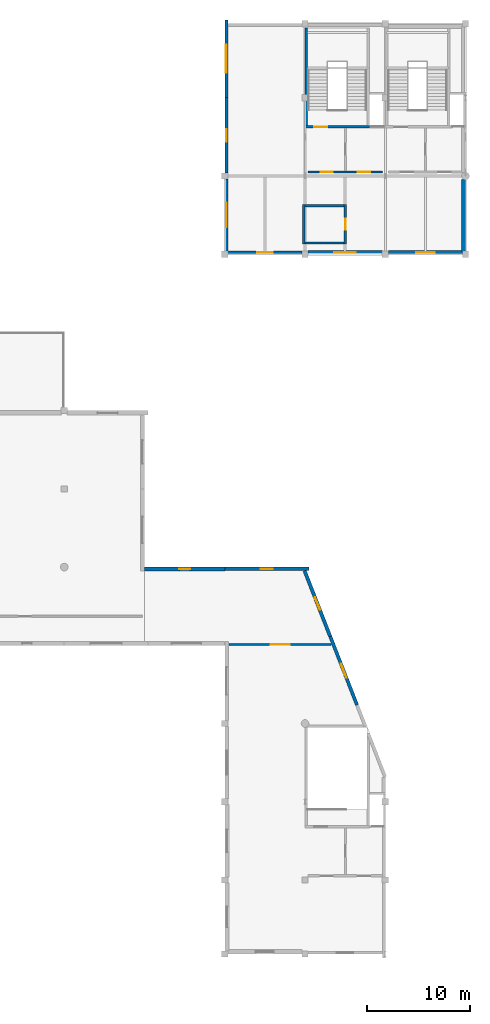
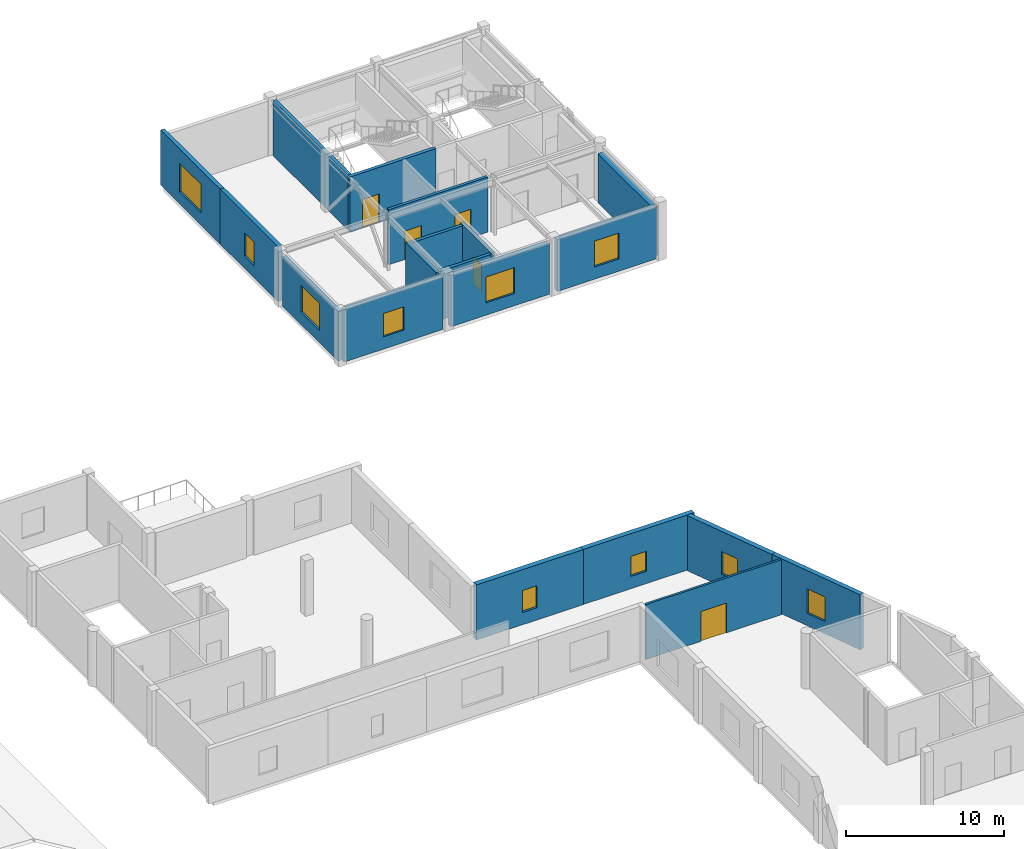
# One storey, part 24 of 28: 19 walls, 10 windows, 5 doors, 15 openings.
"""IFC4 building model written with IfcOpenShell, lengths in metres."""

from ifc_helpers import new_model, si_unit, direction, frame, frame_2d, origin, place, context, subcontext, project, spatial, rectangle, extrude, material, layer, layer_set, type_object, element, fill, save


model = new_model("IFC4")

# Units and contexts
model_context = context("Model", 3, precision=1e-05, world=origin(), true_north=direction((0.0, 1.0)))
body_context = subcontext(model_context, "Body", "Model", "MODEL_VIEW")
ifc_project = project(units=[si_unit("LENGTHUNIT", "METRE"), si_unit("AREAUNIT", "SQUARE_METRE"), si_unit("VOLUMEUNIT", "CUBIC_METRE"), si_unit("PLANEANGLEUNIT", "RADIAN"), si_unit("MASSUNIT", "GRAM", prefix="KILO")], contexts=[model_context])

# Site, building, storey
site_placement = place(None, origin())
site = spatial("IfcSite", under=ifc_project, at=site_placement, CompositionType="ELEMENT")
building_placement = place(site_placement, origin())
building = spatial("IfcBuilding", under=site, at=building_placement, Name="Xicomal Pleat Aquarium", CompositionType="ELEMENT")
storey_placement = place(building_placement, frame((0.0, 0.0, 15.300048828125)))
storey = spatial("IfcBuildingStorey", under=building, at=storey_placement, Name="L04", CompositionType="ELEMENT", Elevation=15.300048828125)

# Wall, opening, door
ifc_material_1 = material(Name="Concrete C40/50", Category="concrete")
ifc_layer_1 = layer(ifc_material_1, 0.25)
ifc_layer_set_1 = layer_set([ifc_layer_1], Name="Concrete C40/50")
wall_type_1 = type_object("IfcWallType", Name="WAL-COR-250", PredefinedType="SHEAR", material=ifc_layer_set_1)
wall_1_placement = place(storey_placement, frame((141.590087890625, 88.375, 0.0), z_axis=(0.0, 0.0, 1.0), x_axis=(1.0, 0.0, 0.0)))
wall_1 = element("IfcWall", 1, at=wall_1_placement, inside=storey, type_object=wall_type_1, Name="L04 CORE-5 stair shear wall CW-L04-C5-SS", PredefinedType="SHEAR", context=body_context, shape_type="SweptSolid", body=[
    extrude(rectangle(XDim=6.280029296875, YDim=0.25, at=frame_2d((3.14013671875, 0.0))), origin(), (0.0, 0.0, 1.0), 4.260009765625),
])
opening_1_placement = place(wall_1_placement, frame((0.89990234375, 0.0, 0.0)))
opening_1 = element("IfcOpeningElement", 2, at=opening_1_placement, cuts=wall_1, Name="Opening SD-05-L04", PredefinedType="OPENING", context=body_context, shape_type="SweptSolid", body=[
    extrude(rectangle(XDim=1.25, YDim=2.199951171875, at=frame_2d((0.625, 1.10009765625))), frame((0.0, 0.135009765625, 0.0), z_axis=(0.0, -1.0, 0.0), x_axis=(1.0, 0.0, 0.0)), (0.0, 0.0, 1.0), 0.27001953125),
])
ifc_material_2 = material(Name="Powder-coated steel fire door", Category="steel")
door_type_1 = type_object("IfcDoorType", Name="DOR-ST-1250x2200", OperationType="NOTDEFINED", PredefinedType="DOOR", material=ifc_material_2)
door_1_placement = place(opening_1_placement, origin())
door_1 = element("IfcDoor", 3, at=door_1_placement, inside=storey, type_object=door_type_1, Name="L04 ST-05 protected stair door", OperationType="SINGLE_SWING_LEFT", OverallHeight=2.199951171875, OverallWidth=1.25, PredefinedType="DOOR", context=body_context, shape_type="SweptSolid", body=[
    extrude(rectangle(XDim=1.25, YDim=2.199951171875, at=frame_2d((0.625, 1.10009765625))), frame((0.0, 0.02490234375, 0.0), z_axis=(0.0, -1.0, 0.0), x_axis=(1.0, 0.0, 0.0)), (0.0, 0.0, 1.0), 0.050048828125),
])
fill(opening_1, door_1)

# Wall
wall_2_placement = place(storey_placement, frame((141.715087890625, 88.5, 0.0), z_axis=(0.0, 0.0, 1.0), x_axis=(0.0, 1.0, 0.0)))
element("IfcWall", 4, at=wall_2_placement, inside=storey, type_object=wall_type_1, Name="L04 CORE-5 stair shear wall CW-L04-C5-SW", PredefinedType="SHEAR", context=body_context, shape_type="SweptSolid", body=[
    extrude(rectangle(XDim=9.5, YDim=0.25, at=frame_2d((4.75, 0.0))), origin(), (0.0, 0.0, 1.0), 4.260009765625),
])

# Wall, opening, window
ifc_material_3 = material(Name="Volcanic basalt recinto masonry and concrete C40/50", Category="masonry")
ifc_layer_2 = layer(ifc_material_3, 0.35009765625)
ifc_layer_set_2 = layer_set([ifc_layer_2], Name="Volcanic basalt recinto masonry and concrete C40/50")
wall_type_2 = type_object("IfcWallType", Name="WAL-EXT-BAS-350", PredefinedType="SOLIDWALL", material=ifc_layer_set_2)
wall_3_placement = place(storey_placement, frame((156.9150390625, 76.175048828125, 0.0), z_axis=(0.0, 0.0, 1.0), x_axis=(-1.0, 0.0, 0.0)))
wall_3 = element("IfcWall", 5, at=wall_3_placement, inside=storey, type_object=wall_type_2, Name="L04 exterior basalt-precast wall EW-L04-001", PredefinedType="SOLIDWALL", context=body_context, shape_type="SweptSolid", body=[
    extrude(rectangle(XDim=7.22998046875, YDim=0.35009765625, at=frame_2d((3.614990234375, 0.0))), origin(), (0.0, 0.0, 1.0), 4.0048828125),
])
opening_2_placement = place(wall_3_placement, frame((2.715087890625, 0.0, 0.949951171875)))
opening_2 = element("IfcOpeningElement", 6, at=opening_2_placement, cuts=wall_3, Name="Opening WN-03", PredefinedType="OPENING", context=body_context, shape_type="SweptSolid", body=[
    extrude(rectangle(XDim=1.800048828125, YDim=2.0, at=frame_2d((0.89990234375, 1.0))), frame((0.0, 0.18505859375, 0.0), z_axis=(0.0, -1.0, 0.0), x_axis=(1.0, 0.0, 0.0)), (0.0, 0.0, 1.0), 0.3701171875),
])
ifc_material_4 = material(Name="Insulated low-E laminated glass", Category="glass")
window_type_1 = type_object("IfcWindowType", Name="WIN-EXT-1800x2000", PartitioningType="DOUBLE_PANEL_VERTICAL", PredefinedType="WINDOW", material=ifc_material_4)
window_1_placement = place(opening_2_placement, origin())
window_1 = element("IfcWindow", 7, at=window_1_placement, inside=storey, type_object=window_type_1, Name="L04 thermally broken low-E window 49", OverallHeight=2.0, OverallWidth=1.800048828125, PartitioningType="SINGLE_PANEL", PredefinedType="WINDOW", context=body_context, shape_type="SweptSolid", body=[
    extrude(rectangle(XDim=1.800048828125, YDim=2.0, at=frame_2d((0.89990234375, 1.0))), frame((0.0, 0.030029296875, 0.0), z_axis=(0.0, -1.0, 0.0), x_axis=(1.0, 0.0, 0.0)), (0.0, 0.0, 1.0), 0.06005859375),
])
fill(opening_2, window_1)

wall_4_placement = place(storey_placement, frame((133.820068359375, 45.425048828125, 0.0), z_axis=(0.0, 0.0, 1.0), x_axis=(1.0, 0.0, 0.0)))
wall_4 = element("IfcWall", 8, at=wall_4_placement, inside=storey, type_object=wall_type_2, Name="L04 exterior basalt-precast wall EW-L04-027", PredefinedType="SOLIDWALL", context=body_context, shape_type="SweptSolid", body=[
    extrude(rectangle(XDim=8.139892578125, YDim=0.35009765625, at=frame_2d((4.06982421875, 0.0))), origin(), (0.0, 0.0, 1.0), 4.260009765625),
])
opening_3_placement = place(wall_4_placement, frame((3.4951171875, 0.0, 0.949951171875)))
opening_3 = element("IfcOpeningElement", 9, at=opening_3_placement, cuts=wall_4, Name="Opening WN-15", PredefinedType="OPENING", context=body_context, shape_type="SweptSolid", body=[
    extrude(rectangle(XDim=1.14990234375, YDim=1.550048828125, at=frame_2d((0.574951171875, 0.77490234375))), frame((0.0, 0.18505859375, 0.0), z_axis=(0.0, -1.0, 0.0), x_axis=(1.0, 0.0, 0.0)), (0.0, 0.0, 1.0), 0.3701171875),
])
ifc_material_5 = material(Name="Insulated low-E laminated glass", Category="glass")
window_type_2 = type_object("IfcWindowType", Name="WIN-EXT-1150x1550", PartitioningType="SINGLE_PANEL", PredefinedType="WINDOW", material=ifc_material_5)
window_2_placement = place(opening_3_placement, origin())
window_2 = element("IfcWindow", 10, at=window_2_placement, inside=storey, type_object=window_type_2, Name="L04 thermally broken low-E window 63", OverallHeight=1.550048828125, OverallWidth=1.14990234375, PartitioningType="SINGLE_PANEL", PredefinedType="WINDOW", context=body_context, shape_type="SweptSolid", body=[
    extrude(rectangle(XDim=1.14990234375, YDim=1.550048828125, at=frame_2d((0.574951171875, 0.77490234375))), frame((0.0, 0.030029296875, 0.0), z_axis=(0.0, -1.0, 0.0), x_axis=(1.0, 0.0, 0.0)), (0.0, 0.0, 1.0), 0.06005859375),
])
fill(opening_3, window_2)

ifc_material_6 = material(Name="Volcanic basalt recinto masonry and concrete C40/50", Category="masonry")
ifc_layer_3 = layer(ifc_material_6, 0.364990234375)
ifc_layer_set_3 = layer_set([ifc_layer_3], Name="Volcanic basalt recinto masonry and concrete C40/50")
wall_type_3 = type_object("IfcWallType", Name="WAL-EXT-BAS-365", PredefinedType="SOLIDWALL", material=ifc_layer_set_3)
wall_5_placement = place(storey_placement, frame((126.0048828125, 45.41796875, 0.0), z_axis=(0.0, 0.0, 1.0), x_axis=(1.0, 0.0, 0.0)))
wall_5 = element("IfcWall", 11, at=wall_5_placement, inside=storey, type_object=wall_type_3, Name="L04 exterior basalt-precast wall EW-L04-026", PredefinedType="SOLIDWALL", context=body_context, shape_type="SweptSolid", body=[
    extrude(rectangle(XDim=7.815185546875, YDim=0.364990234375, at=frame_2d((3.90771484375, 0.0))), origin(), (0.0, 0.0, 1.0), 4.260009765625),
])
opening_4_placement = place(wall_5_placement, frame((3.382080078125, 0.0, 0.949951171875)))
opening_4 = element("IfcOpeningElement", 12, at=opening_4_placement, cuts=wall_5, Name="Opening WN-14", PredefinedType="OPENING", context=body_context, shape_type="SweptSolid", body=[
    extrude(rectangle(XDim=1.050048828125, YDim=1.699951171875, at=frame_2d((0.52490234375, 0.85009765625))), frame((0.0, 0.1923828125, 0.0), z_axis=(0.0, -1.0, 0.0), x_axis=(1.0, 0.0, 0.0)), (0.0, 0.0, 1.0), 0.385009765625),
])
ifc_material_7 = material(Name="Insulated low-E laminated glass", Category="glass")
window_type_3 = type_object("IfcWindowType", Name="WIN-EXT-1050x1700", PartitioningType="SINGLE_PANEL", PredefinedType="WINDOW", material=ifc_material_7)
window_3_placement = place(opening_4_placement, origin())
window_3 = element("IfcWindow", 13, at=window_3_placement, inside=storey, type_object=window_type_3, Name="L04 thermally broken low-E window 62", OverallHeight=1.699951171875, OverallWidth=1.050048828125, PartitioningType="SINGLE_PANEL", PredefinedType="WINDOW", context=body_context, shape_type="SweptSolid", body=[
    extrude(rectangle(XDim=1.050048828125, YDim=1.699951171875, at=frame_2d((0.52490234375, 0.85009765625))), frame((0.0, 0.030029296875, 0.0), z_axis=(0.0, -1.0, 0.0), x_axis=(1.0, 0.0, 0.0)), (0.0, 0.0, 1.0), 0.06005859375),
])
fill(opening_4, window_3)

# Wall
ifc_material_8 = material(Name="Volcanic basalt recinto masonry and concrete C40/50", Category="masonry")
ifc_layer_4 = layer(ifc_material_8, 0.3798828125)
ifc_layer_set_4 = layer_set([ifc_layer_4], Name="Volcanic basalt recinto masonry and concrete C40/50")
wall_type_4 = type_object("IfcWallType", Name="WAL-EXT-BAS-380", PredefinedType="SOLIDWALL", material=ifc_layer_set_4)
wall_6_placement = place(storey_placement, frame((157.010009765625, 83.239990234375, 0.0), z_axis=(0.0, 0.0, 1.0), x_axis=(0.0, -1.0, 0.0)))
element("IfcWall", 14, at=wall_6_placement, inside=storey, type_object=wall_type_4, Name="L04 exterior basalt-precast wall EW-L04-012", PredefinedType="SOLIDWALL", context=body_context, shape_type="SweptSolid", body=[
    extrude(rectangle(XDim=6.955078125, YDim=0.3798828125, at=frame_2d((3.4775390625, 0.0))), origin(), (0.0, 0.0, 1.0), 3.785888671875),
])

# Wall, opening, window
ifc_material_9 = material(Name="Precast concrete C40/50", Category="concrete")
ifc_layer_5 = layer(ifc_material_9, 0.2900390625)
ifc_layer_set_5 = layer_set([ifc_layer_5], Name="Precast concrete C40/50")
wall_type_5 = type_object("IfcWallType", Name="WAL-EXT-PRC-290", PredefinedType="SOLIDWALL", material=ifc_layer_set_5)
wall_7_placement = place(storey_placement, frame((133.945068359375, 91.219970703125, 0.0), z_axis=(0.0, 0.0, 1.0), x_axis=(0.0, 1.0, 0.0)))
wall_7 = element("IfcWall", 15, at=wall_7_placement, inside=storey, type_object=wall_type_5, Name="L04 exterior basalt-precast wall EW-L04-006", PredefinedType="SOLIDWALL", context=body_context, shape_type="SweptSolid", body=[
    extrude(rectangle(XDim=7.5400390625, YDim=0.2900390625, at=frame_2d((3.77001953125, 0.0))), origin(), (0.0, 0.0, 1.0), 4.260009765625),
])
opening_5_placement = place(wall_7_placement, frame((2.419921875, 0.0, 0.949951171875)))
opening_5 = element("IfcOpeningElement", 16, at=opening_5_placement, cuts=wall_7, Name="Opening WN-07", PredefinedType="OPENING", context=body_context, shape_type="SweptSolid", body=[
    extrude(rectangle(XDim=2.699951171875, YDim=2.199951171875, at=frame_2d((1.35009765625, 1.10009765625))), frame((0.0, 0.155029296875, 0.0), z_axis=(0.0, -1.0, 0.0), x_axis=(1.0, 0.0, 0.0)), (0.0, 0.0, 1.0), 0.31005859375),
])
ifc_material_10 = material(Name="Insulated low-E laminated glass", Category="glass")
window_type_4 = type_object("IfcWindowType", Name="WIN-EXT-2700x2200", PartitioningType="DOUBLE_PANEL_VERTICAL", PredefinedType="WINDOW", material=ifc_material_10)
window_4_placement = place(opening_5_placement, origin())
window_4 = element("IfcWindow", 17, at=window_4_placement, inside=storey, type_object=window_type_4, Name="L04 thermally broken low-E window 54", OverallHeight=2.199951171875, OverallWidth=2.699951171875, PartitioningType="SINGLE_PANEL", PredefinedType="WINDOW", context=body_context, shape_type="SweptSolid", body=[
    extrude(rectangle(XDim=2.699951171875, YDim=2.199951171875, at=frame_2d((1.35009765625, 1.10009765625))), frame((0.0, 0.030029296875, 0.0), z_axis=(0.0, -1.0, 0.0), x_axis=(1.0, 0.0, 0.0)), (0.0, 0.0, 1.0), 0.06005859375),
])
fill(opening_5, window_4)

ifc_material_11 = material(Name="Precast concrete C40/50", Category="concrete")
ifc_layer_6 = layer(ifc_material_11, 0.300048828125)
ifc_layer_set_6 = layer_set([ifc_layer_6], Name="Precast concrete C40/50")
wall_type_6 = type_object("IfcWallType", Name="WAL-EXT-PRC-300", PredefinedType="SOLIDWALL", material=ifc_layer_set_6)
wall_8_placement = place(storey_placement, frame((133.949951171875, 83.885009765625, 0.0), z_axis=(0.0, 0.0, 1.0), x_axis=(0.0, 1.0, 0.0)))
wall_8 = element("IfcWall", 18, at=wall_8_placement, inside=storey, type_object=wall_type_6, Name="L04 exterior basalt-precast wall EW-L04-005", PredefinedType="SOLIDWALL", context=body_context, shape_type="SweptSolid", body=[
    extrude(rectangle(XDim=7.3349609375, YDim=0.300048828125, at=frame_2d((3.66748046875, 0.0))), origin(), (0.0, 0.0, 1.0), 4.260009765625),
])
opening_6_placement = place(wall_8_placement, frame((3.06689453125, 0.0, 0.949951171875)))
opening_6 = element("IfcOpeningElement", 19, at=opening_6_placement, cuts=wall_8, Name="Opening WN-01", PredefinedType="OPENING", context=body_context, shape_type="SweptSolid", body=[
    extrude(rectangle(XDim=1.199951171875, YDim=1.800048828125, at=frame_2d((0.60009765625, 0.89990234375))), frame((0.0, 0.159912109375, 0.0), z_axis=(0.0, -1.0, 0.0), x_axis=(1.0, 0.0, 0.0)), (0.0, 0.0, 1.0), 0.320068359375),
])
ifc_material_12 = material(Name="Insulated low-E laminated glass", Category="glass")
window_type_5 = type_object("IfcWindowType", Name="WIN-EXT-1200x1800", PartitioningType="SINGLE_PANEL", PredefinedType="WINDOW", material=ifc_material_12)
window_5_placement = place(opening_6_placement, origin())
window_5 = element("IfcWindow", 20, at=window_5_placement, inside=storey, type_object=window_type_5, Name="L04 thermally broken low-E window 53", OverallHeight=1.800048828125, OverallWidth=1.199951171875, PartitioningType="SINGLE_PANEL", PredefinedType="WINDOW", context=body_context, shape_type="SweptSolid", body=[
    extrude(rectangle(XDim=1.199951171875, YDim=1.800048828125, at=frame_2d((0.60009765625, 0.89990234375))), frame((0.0, 0.030029296875, 0.0), z_axis=(0.0, -1.0, 0.0), x_axis=(1.0, 0.0, 0.0)), (0.0, 0.0, 1.0), 0.06005859375),
])
fill(opening_6, window_5)

ifc_material_13 = material(Name="Precast concrete C40/50", Category="concrete")
ifc_layer_7 = layer(ifc_material_13, 0.31201171875)
ifc_layer_set_7 = layer_set([ifc_layer_7], Name="Precast concrete C40/50")
wall_type_7 = type_object("IfcWallType", Name="WAL-EXT-PRC-312", PredefinedType="SOLIDWALL", material=ifc_layer_set_7)
wall_9_placement = place(storey_placement, frame((133.9560546875, 76.284912109375, 0.0), z_axis=(0.0, 0.0, 1.0), x_axis=(0.0, 1.0, 0.0)))
wall_9 = element("IfcWall", 21, at=wall_9_placement, inside=storey, type_object=wall_type_7, Name="L04 exterior basalt-precast wall EW-L04-004", PredefinedType="SOLIDWALL", context=body_context, shape_type="SweptSolid", body=[
    extrude(rectangle(XDim=7.030029296875, YDim=0.31201171875, at=frame_2d((3.51513671875, 0.0))), origin(), (0.0, 0.0, 1.0), 3.8359375),
])
opening_7_placement = place(wall_9_placement, frame((2.31494140625, 0.0, 0.949951171875)))
opening_7 = element("IfcOpeningElement", 22, at=opening_7_placement, cuts=wall_9, Name="Opening WN-05", PredefinedType="OPENING", context=body_context, shape_type="SweptSolid", body=[
    extrude(rectangle(XDim=2.39990234375, YDim=2.10009765625, at=frame_2d((1.199951171875, 1.050048828125))), frame((0.0, 0.166015625, 0.0), z_axis=(0.0, -1.0, 0.0), x_axis=(1.0, 0.0, 0.0)), (0.0, 0.0, 1.0), 0.33203125),
])
ifc_material_14 = material(Name="Insulated low-E laminated glass", Category="glass")
window_type_6 = type_object("IfcWindowType", Name="WIN-EXT-2400x2100", PartitioningType="DOUBLE_PANEL_VERTICAL", PredefinedType="WINDOW", material=ifc_material_14)
window_6_placement = place(opening_7_placement, origin())
window_6 = element("IfcWindow", 23, at=window_6_placement, inside=storey, type_object=window_type_6, Name="L04 thermally broken low-E window 52", OverallHeight=2.10009765625, OverallWidth=2.39990234375, PartitioningType="SINGLE_PANEL", PredefinedType="WINDOW", context=body_context, shape_type="SweptSolid", body=[
    extrude(rectangle(XDim=2.39990234375, YDim=2.10009765625, at=frame_2d((1.199951171875, 1.050048828125))), frame((0.0, 0.030029296875, 0.0), z_axis=(0.0, -1.0, 0.0), x_axis=(1.0, 0.0, 0.0)), (0.0, 0.0, 1.0), 0.06005859375),
])
fill(opening_7, window_6)

ifc_material_15 = material(Name="Precast concrete C40/50", Category="concrete")
ifc_layer_8 = layer(ifc_material_15, 0.324951171875)
ifc_layer_set_8 = layer_set([ifc_layer_8], Name="Precast concrete C40/50")
wall_type_8 = type_object("IfcWallType", Name="WAL-EXT-PRC-325", PredefinedType="SOLIDWALL", material=ifc_layer_set_8)
wall_10_placement = place(storey_placement, frame((141.31494140625, 76.162109375, 0.0), z_axis=(0.0, 0.0, 1.0), x_axis=(-1.0, 0.0, 0.0)))
wall_10 = element("IfcWall", 24, at=wall_10_placement, inside=storey, type_object=wall_type_8, Name="L04 exterior basalt-precast wall EW-L04-003", PredefinedType="SOLIDWALL", context=body_context, shape_type="SweptSolid", body=[
    extrude(rectangle(XDim=7.22998046875, YDim=0.324951171875, at=frame_2d((3.614990234375, 0.0))), origin(), (0.0, 0.0, 1.0), 4.054931640625),
])
opening_8_placement = place(wall_10_placement, frame((2.864990234375, 0.0, 0.949951171875)))
opening_8 = element("IfcOpeningElement", 25, at=opening_8_placement, cuts=wall_10, Name="Opening WN-02", PredefinedType="OPENING", context=body_context, shape_type="SweptSolid", body=[
    extrude(rectangle(XDim=1.5, YDim=1.800048828125, at=frame_2d((0.75, 0.89990234375))), frame((0.0, 0.17236328125, 0.0), z_axis=(0.0, -1.0, 0.0), x_axis=(1.0, 0.0, 0.0)), (0.0, 0.0, 1.0), 0.344970703125),
])
ifc_material_16 = material(Name="Insulated low-E laminated glass", Category="glass")
window_type_7 = type_object("IfcWindowType", Name="WIN-EXT-1500x1800", PartitioningType="SINGLE_PANEL", PredefinedType="WINDOW", material=ifc_material_16)
window_7_placement = place(opening_8_placement, origin())
window_7 = element("IfcWindow", 26, at=window_7_placement, inside=storey, type_object=window_type_7, Name="L04 thermally broken low-E window 51", OverallHeight=1.800048828125, OverallWidth=1.5, PartitioningType="SINGLE_PANEL", PredefinedType="WINDOW", context=body_context, shape_type="SweptSolid", body=[
    extrude(rectangle(XDim=1.5, YDim=1.800048828125, at=frame_2d((0.75, 0.89990234375))), frame((0.0, 0.030029296875, 0.0), z_axis=(0.0, -1.0, 0.0), x_axis=(1.0, 0.0, 0.0)), (0.0, 0.0, 1.0), 0.06005859375),
])
fill(opening_8, window_7)

wall_11_placement = place(storey_placement, frame((144.055908203125, 38.85595703125, 0.0), z_axis=(0.0, 0.0, 1.0), x_axis=(0.363341722986, -0.931655940966, 0.0)))
wall_11 = element("IfcWall", 27, at=wall_11_placement, inside=storey, type_object=wall_type_8, Name="L04 exterior basalt-precast wall EW-L04-029", PredefinedType="SOLIDWALL", context=body_context, shape_type="SweptSolid", body=[
    extrude(rectangle(XDim=7.156005859375, YDim=0.324951171875, at=frame_2d((3.578125, 0.0))), origin(), (0.0, 0.0, 1.0), 4.260009765625),
])
opening_9_placement = place(wall_11_placement, frame((2.85302734375, 0.0, 0.949951171875)))
opening_9 = element("IfcOpeningElement", 28, at=opening_9_placement, cuts=wall_11, Name="Opening WN-17", PredefinedType="OPENING", context=body_context, shape_type="SweptSolid", body=[
    extrude(rectangle(XDim=1.449951171875, YDim=1.89990234375, at=frame_2d((0.72509765625, 0.949951171875))), frame((0.0, 0.17236328125, 0.0), z_axis=(0.0, -1.0, 0.0), x_axis=(1.0, 0.0, 0.0)), (0.0, 0.0, 1.0), 0.344970703125),
])
ifc_material_17 = material(Name="Insulated low-E laminated glass", Category="glass")
window_type_8 = type_object("IfcWindowType", Name="WIN-EXT-1450x1900", PartitioningType="SINGLE_PANEL", PredefinedType="WINDOW", material=ifc_material_17)
window_8_placement = place(opening_9_placement, origin())
window_8 = element("IfcWindow", 29, at=window_8_placement, inside=storey, type_object=window_type_8, Name="L04 thermally broken low-E window 65", OverallHeight=1.89990234375, OverallWidth=1.449951171875, PartitioningType="SINGLE_PANEL", PredefinedType="WINDOW", context=body_context, shape_type="SweptSolid", body=[
    extrude(rectangle(XDim=1.449951171875, YDim=1.89990234375, at=frame_2d((0.72509765625, 0.949951171875))), frame((0.0, 0.030029296875, 0.0), z_axis=(0.0, -1.0, 0.0), x_axis=(1.0, 0.0, 0.0)), (0.0, 0.0, 1.0), 0.06005859375),
])
fill(opening_9, window_8)

ifc_material_18 = material(Name="Precast concrete C40/50", Category="concrete")
ifc_layer_9 = layer(ifc_material_18, 0.340087890625)
ifc_layer_set_9 = layer_set([ifc_layer_9], Name="Precast concrete C40/50")
wall_type_9 = type_object("IfcWallType", Name="WAL-EXT-PRC-340", PredefinedType="SOLIDWALL", material=ifc_layer_set_9)
wall_12_placement = place(storey_placement, frame((149.114990234375, 76.169921875, 0.0), z_axis=(0.0, 0.0, 1.0), x_axis=(-1.0, 0.0, 0.0)))
wall_12 = element("IfcWall", 30, at=wall_12_placement, inside=storey, type_object=wall_type_9, Name="L04 exterior basalt-precast wall EW-L04-002", PredefinedType="SOLIDWALL", context=body_context, shape_type="SweptSolid", body=[
    extrude(rectangle(XDim=7.22998046875, YDim=0.340087890625, at=frame_2d((3.614990234375, 0.0))), origin(), (0.0, 0.0, 1.0), 3.954833984375),
])
opening_10_placement = place(wall_12_placement, frame((2.56494140625, 0.0, 0.949951171875)))
opening_10 = element("IfcOpeningElement", 31, at=opening_10_placement, cuts=wall_12, Name="Opening WN-04", PredefinedType="OPENING", context=body_context, shape_type="SweptSolid", body=[
    extrude(rectangle(XDim=2.10009765625, YDim=2.0, at=frame_2d((1.050048828125, 1.0))), frame((0.0, 0.179931640625, 0.0), z_axis=(0.0, -1.0, 0.0), x_axis=(1.0, 0.0, 0.0)), (0.0, 0.0, 1.0), 0.360107421875),
])
ifc_material_19 = material(Name="Insulated low-E laminated glass", Category="glass")
window_type_9 = type_object("IfcWindowType", Name="WIN-EXT-2100x2000", PartitioningType="DOUBLE_PANEL_VERTICAL", PredefinedType="WINDOW", material=ifc_material_19)
window_9_placement = place(opening_10_placement, origin())
window_9 = element("IfcWindow", 32, at=window_9_placement, inside=storey, type_object=window_type_9, Name="L04 thermally broken low-E window 50", OverallHeight=2.0, OverallWidth=2.10009765625, PartitioningType="SINGLE_PANEL", PredefinedType="WINDOW", context=body_context, shape_type="SweptSolid", body=[
    extrude(rectangle(XDim=2.10009765625, YDim=2.0, at=frame_2d((1.050048828125, 1.0))), frame((0.0, 0.030029296875, 0.0), z_axis=(0.0, -1.0, 0.0), x_axis=(1.0, 0.0, 0.0)), (0.0, 0.0, 1.0), 0.06005859375),
])
fill(opening_10, window_9)

wall_13_placement = place(storey_placement, frame((141.555908203125, 45.2451171875, 0.0), z_axis=(0.0, 0.0, 1.0), x_axis=(0.363376779607, -0.931642268278, 0.0)))
wall_13 = element("IfcWall", 33, at=wall_13_placement, inside=storey, type_object=wall_type_9, Name="L04 exterior basalt-precast wall EW-L04-028B", PredefinedType="SOLIDWALL", context=body_context, shape_type="SweptSolid", body=[
    extrude(rectangle(XDim=6.861083984375, YDim=0.340087890625, at=frame_2d((3.4306640625, 0.0))), origin(), (0.0, 0.0, 1.0), 4.260009765625),
])
opening_11_placement = place(wall_13_placement, frame((2.780029296875, 0.0, 0.949951171875)))
opening_11 = element("IfcOpeningElement", 34, at=opening_11_placement, cuts=wall_13, Name="Opening WN-16", PredefinedType="OPENING", context=body_context, shape_type="SweptSolid", body=[
    extrude(rectangle(XDim=1.300048828125, YDim=1.75, at=frame_2d((0.64990234375, 0.875))), frame((0.0, 0.179931640625, 0.0), z_axis=(0.0, -1.0, 0.0), x_axis=(1.0, 0.0, 0.0)), (0.0, 0.0, 1.0), 0.360107421875),
])
ifc_material_20 = material(Name="Insulated low-E laminated glass", Category="glass")
window_type_10 = type_object("IfcWindowType", Name="WIN-EXT-1300x1750", PartitioningType="SINGLE_PANEL", PredefinedType="WINDOW", material=ifc_material_20)
window_10_placement = place(opening_11_placement, origin())
window_10 = element("IfcWindow", 35, at=window_10_placement, inside=storey, type_object=window_type_10, Name="L04 thermally broken low-E window 64", OverallHeight=1.75, OverallWidth=1.300048828125, PartitioningType="SINGLE_PANEL", PredefinedType="WINDOW", context=body_context, shape_type="SweptSolid", body=[
    extrude(rectangle(XDim=1.300048828125, YDim=1.75, at=frame_2d((0.64990234375, 0.875))), frame((0.0, 0.030029296875, 0.0), z_axis=(0.0, -1.0, 0.0), x_axis=(1.0, 0.0, 0.0)), (0.0, 0.0, 1.0), 0.06005859375),
])
fill(opening_11, window_10)

# Wall
ifc_material_21 = material(Name="Water-resistant cement-board wet-lab partition", Category="gypsum")
ifc_layer_10 = layer(ifc_material_21, 0.22998046875)
ifc_layer_set_10 = layer_set([ifc_layer_10], Name="Water-resistant cement-board wet-lab partition")
wall_type_10 = type_object("IfcWallType", Name="WAL-PLB-230", PredefinedType="PLUMBINGWALL", material=ifc_layer_set_10)
wall_14_placement = place(storey_placement, frame((141.485107421875, 76.969970703125, 0.0), z_axis=(0.0, 0.0, 1.0), x_axis=(0.0, 1.0, 0.0)))
element("IfcWall", 36, at=wall_14_placement, inside=storey, type_object=wall_type_10, Name="L04 enclosed toilet partition PT-L04-067", PredefinedType="PLUMBINGWALL", context=body_context, shape_type="SweptSolid", body=[
    extrude(rectangle(XDim=3.860107421875, YDim=0.22998046875, at=frame_2d((1.93017578125, 0.0))), origin(), (0.0, 0.0, 1.0), 3.785888671875),
])

# Wall, opening, door
wall_15_placement = place(storey_placement, frame((145.514892578125, 76.969970703125, 0.0), z_axis=(0.0, 0.0, 1.0), x_axis=(0.0, 1.0, 0.0)))
wall_15 = element("IfcWall", 37, at=wall_15_placement, inside=storey, type_object=wall_type_10, Name="L04 enclosed toilet partition PT-L04-068", PredefinedType="PLUMBINGWALL", context=body_context, shape_type="SweptSolid", body=[
    extrude(rectangle(XDim=3.860107421875, YDim=0.22998046875, at=frame_2d((1.93017578125, 0.0))), origin(), (0.0, 0.0, 1.0), 3.90087890625),
])
opening_12_placement = place(wall_15_placement, frame((1.405029296875, 0.0, 0.0)))
opening_12 = element("IfcOpeningElement", 38, at=opening_12_placement, cuts=wall_15, Name="Opening DR-L04-036", PredefinedType="OPENING", context=body_context, shape_type="SweptSolid", body=[
    extrude(rectangle(XDim=1.050048828125, YDim=2.10009765625, at=frame_2d((0.52490234375, 1.050048828125))), frame((0.0, 0.125, 0.0), z_axis=(0.0, -1.0, 0.0), x_axis=(1.0, 0.0, 0.0)), (0.0, 0.0, 1.0), 0.25),
])
ifc_material_22 = material(Name="Solid-core hardwood and anodized aluminium frame", Category="wood")
door_type_2 = type_object("IfcDoorType", Name="DOR-AWC-1050x2100", OperationType="NOTDEFINED", PredefinedType="DOOR", material=ifc_material_22)
door_2_placement = place(opening_12_placement, origin())
door_2 = element("IfcDoor", 39, at=door_2_placement, inside=storey, type_object=door_type_2, Name="L04 Staff Accessible Toilet door DR-L04-036", OperationType="SINGLE_SWING_RIGHT", OverallHeight=2.10009765625, OverallWidth=1.050048828125, PredefinedType="DOOR", context=body_context, shape_type="SweptSolid", body=[
    extrude(rectangle(XDim=1.050048828125, YDim=2.10009765625, at=frame_2d((0.52490234375, 1.050048828125))), frame((0.0, 0.02490234375, 0.0), z_axis=(0.0, -1.0, 0.0), x_axis=(1.0, 0.0, 0.0)), (0.0, 0.0, 1.0), 0.050048828125),
])
fill(opening_12, door_2)

# Walls
for number, where, z_axis, x_axis, name in (
    (40, (141.60009765625, 77.0849609375, 0.0), (0.0, 0.0, 1.0), (1.0, 0.0, 0.0), "L04 enclosed toilet partition PT-L04-069"),
    (41, (141.60009765625, 80.715087890625, 0.0), (0.0, 0.0, 1.0), (1.0, 0.0, 0.0), "L04 enclosed toilet partition PT-L04-070"),
):
    element("IfcWall", number, at=place(storey_placement, frame(where, z_axis=z_axis, x_axis=x_axis)), inside=storey, type_object=wall_type_10, Name=name, PredefinedType="PLUMBINGWALL", context=body_context, shape_type="SweptSolid", body=[
        extrude(rectangle(XDim=3.7998046875, YDim=0.22998046875, at=frame_2d((1.89990234375, 0.0))), origin(), (0.0, 0.0, 1.0), 3.785888671875),
    ])

# Wall, opening, door
ifc_material_23 = material(Name="Water-resistant cement-board wet-lab partition", Category="gypsum")
ifc_layer_11 = layer(ifc_material_23, 0.157958984375)
ifc_layer_set_11 = layer_set([ifc_layer_11], Name="Water-resistant cement-board wet-lab partition")
wall_type_11 = type_object("IfcWallType", Name="WAL-PRT-158", PredefinedType="PARTITIONING", material=ifc_layer_set_11)
wall_16_placement = place(storey_placement, frame((134.22607421875, 38.080078125, 0.0), z_axis=(0.0, 0.0, 1.0), x_axis=(1.0, 0.0, 0.0)))
wall_16 = element("IfcWall", 42, at=wall_16_placement, inside=storey, type_object=wall_type_11, Name="L04 interior partition PT-L04-074", PredefinedType="PARTITIONING", context=body_context, shape_type="SweptSolid", body=[
    extrude(rectangle(XDim=9.89404296875, YDim=0.157958984375, at=frame_2d((4.947021484375, 0.0))), origin(), (0.0, 0.0, 1.0), 4.25),
])
opening_13_placement = place(wall_16_placement, frame((4.02197265625, 0.0, 0.0)))
opening_13 = element("IfcOpeningElement", 43, at=opening_13_placement, cuts=wall_16, Name="Opening DR-L04-040", PredefinedType="OPENING", context=body_context, shape_type="SweptSolid", body=[
    extrude(rectangle(XDim=1.85009765625, YDim=2.300048828125, at=frame_2d((0.925048828125, 1.14990234375))), frame((0.0, 0.0888671875, 0.0), z_axis=(0.0, -1.0, 0.0), x_axis=(1.0, 0.0, 0.0)), (0.0, 0.0, 1.0), 0.177978515625),
])
ifc_material_24 = material(Name="Solid-core hardwood and anodized aluminium frame", Category="wood")
door_type_3 = type_object("IfcDoorType", Name="DOR-UNR-1850x2300", OperationType="DOUBLE_DOOR_SINGLE_SWING", PredefinedType="DOOR", material=ifc_material_24)
door_3_placement = place(opening_13_placement, origin())
door_3 = element("IfcDoor", 44, at=door_3_placement, inside=storey, type_object=door_type_3, Name="L04 Marine Biodiversity Library door DR-L04-040", OperationType="DOUBLE_DOOR_SINGLE_SWING", OverallHeight=2.300048828125, OverallWidth=1.85009765625, PredefinedType="DOOR", context=body_context, shape_type="SweptSolid", body=[
    extrude(rectangle(XDim=1.85009765625, YDim=2.300048828125, at=frame_2d((0.925048828125, 1.14990234375))), frame((0.0, 0.02490234375, 0.0), z_axis=(0.0, -1.0, 0.0), x_axis=(1.0, 0.0, 0.0)), (0.0, 0.0, 1.0), 0.050048828125),
])
fill(opening_13, door_3)

# Wall, openings, doors
ifc_material_25 = material(Name="Fire-rated gypsum and mineral-wool partition", Category="gypsum")
ifc_layer_12 = layer(ifc_material_25, 0.2099609375)
ifc_layer_set_12 = layer_set([ifc_layer_12], Name="Fire-rated gypsum and mineral-wool partition")
wall_type_12 = type_object("IfcWallType", Name="WAL-PRT-210", PredefinedType="PARTITIONING", material=ifc_layer_set_12)
wall_17_placement = place(storey_placement, frame((141.89990234375, 84.0, 0.0), z_axis=(0.0, 0.0, 1.0), x_axis=(1.0, 0.0, 0.0)))
wall_17 = element("IfcWall", 45, at=wall_17_placement, inside=storey, type_object=wall_type_12, Name="L04 CORE-5 lobby fire enclosure wall", PredefinedType="PARTITIONING", context=body_context, shape_type="SweptSolid", body=[
    extrude(rectangle(XDim=7.25, YDim=0.2099609375, at=frame_2d((3.625, 0.0))), origin(), (0.0, 0.0, 1.0), 4.260009765625),
])
opening_14_placement = place(wall_17_placement, frame((1.2119140625, 0.0, 0.0)))
opening_14 = element("IfcOpeningElement", 46, at=opening_14_placement, cuts=wall_17, Name="Opening FD-05A-L04", PredefinedType="OPENING", context=body_context, shape_type="SweptSolid", body=[
    extrude(rectangle(XDim=1.199951171875, YDim=2.199951171875, at=frame_2d((0.60009765625, 1.10009765625))), frame((0.0, 0.114990234375, 0.0), z_axis=(0.0, -1.0, 0.0), x_axis=(1.0, 0.0, 0.0)), (0.0, 0.0, 1.0), 0.22998046875),
])
opening_15_placement = place(wall_17_placement, frame((4.837890625, 0.0, 0.0)))
opening_15 = element("IfcOpeningElement", 47, at=opening_15_placement, cuts=wall_17, Name="Opening FD-05B-L04", PredefinedType="OPENING", context=body_context, shape_type="SweptSolid", body=[
    extrude(rectangle(XDim=1.199951171875, YDim=2.199951171875, at=frame_2d((0.60009765625, 1.10009765625))), frame((0.0, 0.114990234375, 0.0), z_axis=(0.0, -1.0, 0.0), x_axis=(1.0, 0.0, 0.0)), (0.0, 0.0, 1.0), 0.22998046875),
])
ifc_material_26 = material(Name="Powder-coated steel fire door", Category="steel")
door_type_4 = type_object("IfcDoorType", Name="DOR-FFL-1200x2200", OperationType="NOTDEFINED", PredefinedType="DOOR", material=ifc_material_26)
door_4_placement = place(opening_14_placement, origin())
door_4 = element("IfcDoor", 48, at=door_4_placement, inside=storey, type_object=door_type_4, Name="L04 firefighting lobby door 5A", OperationType="SINGLE_SWING_LEFT", OverallHeight=2.199951171875, OverallWidth=1.199951171875, PredefinedType="DOOR", context=body_context, shape_type="SweptSolid", body=[
    extrude(rectangle(XDim=1.199951171875, YDim=2.199951171875, at=frame_2d((0.60009765625, 1.10009765625))), frame((0.0, 0.02490234375, 0.0), z_axis=(0.0, -1.0, 0.0), x_axis=(1.0, 0.0, 0.0)), (0.0, 0.0, 1.0), 0.050048828125),
])
fill(opening_14, door_4)
door_5_placement = place(opening_15_placement, origin())
door_5 = element("IfcDoor", 49, at=door_5_placement, inside=storey, type_object=door_type_4, Name="L04 lift lobby door 5B", OperationType="SINGLE_SWING_RIGHT", OverallHeight=2.199951171875, OverallWidth=1.199951171875, PredefinedType="DOOR", context=body_context, shape_type="SweptSolid", body=[
    extrude(rectangle(XDim=1.199951171875, YDim=2.199951171875, at=frame_2d((0.60009765625, 1.10009765625))), frame((0.0, 0.02490234375, 0.0), z_axis=(0.0, -1.0, 0.0), x_axis=(1.0, 0.0, 0.0)), (0.0, 0.0, 1.0), 0.050048828125),
])
fill(opening_15, door_5)

save(model, "model.ifc")
